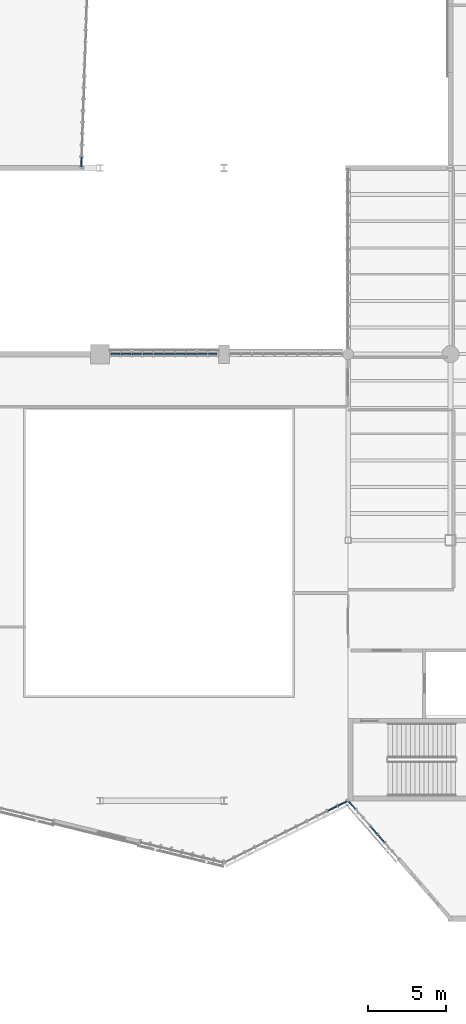
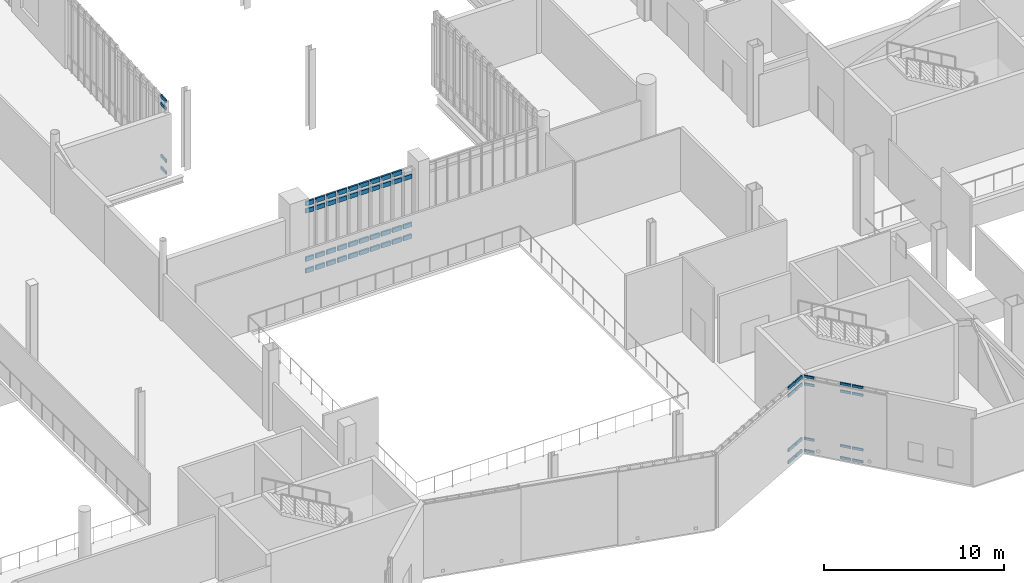
# One storey, part 53 of 127: 63 members, 4 elements without a shape of their own.
"""IFC4 building model written with IfcOpenShell, lengths in metres."""

from ifc_helpers import new_model, si_unit, direction, frame, origin, origin_2d, place, context, subcontext, project, spatial, rectangle, extrude, material, material_profile, profile_set, type_object, element, aggregate, save


model = new_model("IFC4")

# Units and contexts
model_context = context("Model", 3, precision=1e-05, world=origin(), true_north=direction((0.0, 1.0)))
body_context = subcontext(model_context, "Body", "Model", "MODEL_VIEW")
ifc_project = project(units=[si_unit("LENGTHUNIT", "METRE"), si_unit("AREAUNIT", "SQUARE_METRE"), si_unit("VOLUMEUNIT", "CUBIC_METRE"), si_unit("PLANEANGLEUNIT", "RADIAN"), si_unit("MASSUNIT", "GRAM", prefix="KILO")], contexts=[model_context])

# Site, building, storey
site_placement = place(None, origin())
site = spatial("IfcSite", under=ifc_project, at=site_placement, CompositionType="ELEMENT")
building_placement = place(site_placement, origin())
building = spatial("IfcBuilding", under=site, at=building_placement, Name="Larkvane Passage Sports Hall", CompositionType="ELEMENT")
storey_placement = place(building_placement, frame((0.0, 0.0, 5.39990234375)))
storey = spatial("IfcBuildingStorey", under=building, at=storey_placement, Name="L01", CompositionType="ELEMENT", Elevation=5.39990234375)

# Curtain wall, members
ifc_material_1 = material(Name="Thermally broken aluminium and low-E glazing", Category="aluminium")
curtain_wall_type_1 = type_object("IfcCurtainWallType", Name="CW-CLINIC", PredefinedType="USERDEFINED", material=ifc_material_1)
curtain_wall_1_placement = place(storey_placement, origin())
curtain_wall_1 = element("IfcCurtainWall", 1, at=curtain_wall_1_placement, inside=storey, type_object=curtain_wall_type_1, Name="Curtain wall CW5-L01-047", ObjectType="UNITISED CURTAIN WALL", PredefinedType="USERDEFINED")
ifc_material_2 = material(Name="Anodised aluminium 6063-T6", Category="aluminium")
ifc_material_profile_1 = material_profile(ifc_material_2, rectangle(XDim=0.110107421875, YDim=0.2900390625, at=origin_2d()), Name="ALU-TRN-110x290")
ifc_profile_set_1 = profile_set([ifc_material_profile_1], Name="Anodised aluminium 6063-T6")
member_type_1 = type_object("IfcMemberType", Name="CW-TRN-110x290", PredefinedType="USERDEFINED", material=ifc_profile_set_1)
member_1_placement = place(storey_placement, frame((102.73095703125, 51.60009765625, 0.05517578125), z_axis=(1.0, 0.0, 0.0), x_axis=(0.0, 1.0, 0.0)))
member_1 = element("IfcMember", 2, at=member_1_placement, type_object=member_type_1, Name="CW-05 transom 1.1", ObjectType="TRANSOM", PredefinedType="USERDEFINED", context=body_context, shape_type="SweptSolid", body=[
    extrude(rectangle(XDim=0.110107421875, YDim=0.2900390625, at=origin_2d()), origin(), (0.0, 0.0, 1.0), 0.538330078125),
])
member_2_placement = place(storey_placement, frame((102.73095703125, 51.60009765625, 0.85009765625), z_axis=(1.0, 0.0, 0.0), x_axis=(0.0, 1.0, 0.0)))
member_2 = element("IfcMember", 3, at=member_2_placement, type_object=member_type_1, Name="CW-05 transom 1.2", ObjectType="TRANSOM", PredefinedType="USERDEFINED", context=body_context, shape_type="SweptSolid", body=[
    extrude(rectangle(XDim=0.110107421875, YDim=0.2900390625, at=origin_2d()), origin(), (0.0, 0.0, 1.0), 0.538330078125),
])
member_3_placement = place(storey_placement, frame((102.73095703125, 51.60009765625, 4.1240234375), z_axis=(1.0, 0.0, 0.0), x_axis=(0.0, 1.0, 0.0)))
member_3 = element("IfcMember", 4, at=member_3_placement, type_object=member_type_1, Name="CW-05 transom 1.3", ObjectType="TRANSOM", PredefinedType="USERDEFINED", context=body_context, shape_type="SweptSolid", body=[
    extrude(rectangle(XDim=0.110107421875, YDim=0.2900390625, at=origin_2d()), origin(), (0.0, 0.0, 1.0), 0.538330078125),
])
member_4_placement = place(storey_placement, frame((102.73095703125, 51.60009765625, 4.619140625), z_axis=(1.0, 0.0, 0.0), x_axis=(0.0, 1.0, 0.0)))
member_4 = element("IfcMember", 5, at=member_4_placement, type_object=member_type_1, Name="CW-05 transom 1.4", ObjectType="TRANSOM", PredefinedType="USERDEFINED", context=body_context, shape_type="SweptSolid", body=[
    extrude(rectangle(XDim=0.110107421875, YDim=0.2900390625, at=origin_2d()), origin(), (0.0, 0.0, 1.0), 0.538330078125),
])
member_5_placement = place(storey_placement, frame((103.37939453125, 51.60009765625, 0.05517578125), z_axis=(1.0, 0.0, 0.0), x_axis=(0.0, 1.0, 0.0)))
member_5 = element("IfcMember", 6, at=member_5_placement, type_object=member_type_1, Name="CW-05 transom 2.1", ObjectType="TRANSOM", PredefinedType="USERDEFINED", context=body_context, shape_type="SweptSolid", body=[
    extrude(rectangle(XDim=0.110107421875, YDim=0.2900390625, at=origin_2d()), origin(), (0.0, 0.0, 1.0), 0.59326171875),
])
member_6_placement = place(storey_placement, frame((103.37939453125, 51.60009765625, 0.85009765625), z_axis=(1.0, 0.0, 0.0), x_axis=(0.0, 1.0, 0.0)))
member_6 = element("IfcMember", 7, at=member_6_placement, type_object=member_type_1, Name="CW-05 transom 2.2", ObjectType="TRANSOM", PredefinedType="USERDEFINED", context=body_context, shape_type="SweptSolid", body=[
    extrude(rectangle(XDim=0.110107421875, YDim=0.2900390625, at=origin_2d()), origin(), (0.0, 0.0, 1.0), 0.59326171875),
])
member_7_placement = place(storey_placement, frame((103.37939453125, 51.60009765625, 4.1240234375), z_axis=(1.0, 0.0, 0.0), x_axis=(0.0, 1.0, 0.0)))
member_7 = element("IfcMember", 8, at=member_7_placement, type_object=member_type_1, Name="CW-05 transom 2.3", ObjectType="TRANSOM", PredefinedType="USERDEFINED", context=body_context, shape_type="SweptSolid", body=[
    extrude(rectangle(XDim=0.110107421875, YDim=0.2900390625, at=origin_2d()), origin(), (0.0, 0.0, 1.0), 0.59326171875),
])
member_8_placement = place(storey_placement, frame((103.37939453125, 51.60009765625, 4.619140625), z_axis=(1.0, 0.0, 0.0), x_axis=(0.0, 1.0, 0.0)))
member_8 = element("IfcMember", 9, at=member_8_placement, type_object=member_type_1, Name="CW-05 transom 2.4", ObjectType="TRANSOM", PredefinedType="USERDEFINED", context=body_context, shape_type="SweptSolid", body=[
    extrude(rectangle(XDim=0.110107421875, YDim=0.2900390625, at=origin_2d()), origin(), (0.0, 0.0, 1.0), 0.59326171875),
])
member_9_placement = place(storey_placement, frame((104.08251953125, 51.60009765625, 0.05517578125), z_axis=(1.0, 0.0, 0.0), x_axis=(0.0, 1.0, 0.0)))
member_9 = element("IfcMember", 10, at=member_9_placement, type_object=member_type_1, Name="CW-05 transom 3.1", ObjectType="TRANSOM", PredefinedType="USERDEFINED", context=body_context, shape_type="SweptSolid", body=[
    extrude(rectangle(XDim=0.110107421875, YDim=0.2900390625, at=origin_2d()), origin(), (0.0, 0.0, 1.0), 0.59326171875),
])
member_10_placement = place(storey_placement, frame((104.08251953125, 51.60009765625, 0.85009765625), z_axis=(1.0, 0.0, 0.0), x_axis=(0.0, 1.0, 0.0)))
member_10 = element("IfcMember", 11, at=member_10_placement, type_object=member_type_1, Name="CW-05 transom 3.2", ObjectType="TRANSOM", PredefinedType="USERDEFINED", context=body_context, shape_type="SweptSolid", body=[
    extrude(rectangle(XDim=0.110107421875, YDim=0.2900390625, at=origin_2d()), origin(), (0.0, 0.0, 1.0), 0.59326171875),
])
member_11_placement = place(storey_placement, frame((104.08251953125, 51.60009765625, 4.1240234375), z_axis=(1.0, 0.0, 0.0), x_axis=(0.0, 1.0, 0.0)))
member_11 = element("IfcMember", 12, at=member_11_placement, type_object=member_type_1, Name="CW-05 transom 3.3", ObjectType="TRANSOM", PredefinedType="USERDEFINED", context=body_context, shape_type="SweptSolid", body=[
    extrude(rectangle(XDim=0.110107421875, YDim=0.2900390625, at=origin_2d()), origin(), (0.0, 0.0, 1.0), 0.59326171875),
])
member_12_placement = place(storey_placement, frame((104.08251953125, 51.60009765625, 4.619140625), z_axis=(1.0, 0.0, 0.0), x_axis=(0.0, 1.0, 0.0)))
member_12 = element("IfcMember", 13, at=member_12_placement, type_object=member_type_1, Name="CW-05 transom 3.4", ObjectType="TRANSOM", PredefinedType="USERDEFINED", context=body_context, shape_type="SweptSolid", body=[
    extrude(rectangle(XDim=0.110107421875, YDim=0.2900390625, at=origin_2d()), origin(), (0.0, 0.0, 1.0), 0.59326171875),
])
member_13_placement = place(storey_placement, frame((104.785888671875, 51.60009765625, 0.05517578125), z_axis=(1.0, 0.0, 0.0), x_axis=(0.0, 1.0, 0.0)))
member_13 = element("IfcMember", 14, at=member_13_placement, type_object=member_type_1, Name="CW-05 transom 4.1", ObjectType="TRANSOM", PredefinedType="USERDEFINED", context=body_context, shape_type="SweptSolid", body=[
    extrude(rectangle(XDim=0.110107421875, YDim=0.2900390625, at=origin_2d()), origin(), (0.0, 0.0, 1.0), 0.59326171875),
])
member_14_placement = place(storey_placement, frame((104.785888671875, 51.60009765625, 0.85009765625), z_axis=(1.0, 0.0, 0.0), x_axis=(0.0, 1.0, 0.0)))
member_14 = element("IfcMember", 15, at=member_14_placement, type_object=member_type_1, Name="CW-05 transom 4.2", ObjectType="TRANSOM", PredefinedType="USERDEFINED", context=body_context, shape_type="SweptSolid", body=[
    extrude(rectangle(XDim=0.110107421875, YDim=0.2900390625, at=origin_2d()), origin(), (0.0, 0.0, 1.0), 0.59326171875),
])
member_15_placement = place(storey_placement, frame((104.785888671875, 51.60009765625, 4.1240234375), z_axis=(1.0, 0.0, 0.0), x_axis=(0.0, 1.0, 0.0)))
member_15 = element("IfcMember", 16, at=member_15_placement, type_object=member_type_1, Name="CW-05 transom 4.3", ObjectType="TRANSOM", PredefinedType="USERDEFINED", context=body_context, shape_type="SweptSolid", body=[
    extrude(rectangle(XDim=0.110107421875, YDim=0.2900390625, at=origin_2d()), origin(), (0.0, 0.0, 1.0), 0.59326171875),
])
member_16_placement = place(storey_placement, frame((104.785888671875, 51.60009765625, 4.619140625), z_axis=(1.0, 0.0, 0.0), x_axis=(0.0, 1.0, 0.0)))
member_16 = element("IfcMember", 17, at=member_16_placement, type_object=member_type_1, Name="CW-05 transom 4.4", ObjectType="TRANSOM", PredefinedType="USERDEFINED", context=body_context, shape_type="SweptSolid", body=[
    extrude(rectangle(XDim=0.110107421875, YDim=0.2900390625, at=origin_2d()), origin(), (0.0, 0.0, 1.0), 0.59326171875),
])
member_17_placement = place(storey_placement, frame((105.4892578125, 51.60009765625, 0.05517578125), z_axis=(1.0, 0.0, 0.0), x_axis=(0.0, 1.0, 0.0)))
member_17 = element("IfcMember", 18, at=member_17_placement, type_object=member_type_1, Name="CW-05 transom 5.1", ObjectType="TRANSOM", PredefinedType="USERDEFINED", context=body_context, shape_type="SweptSolid", body=[
    extrude(rectangle(XDim=0.110107421875, YDim=0.2900390625, at=origin_2d()), origin(), (0.0, 0.0, 1.0), 0.59326171875),
])
member_18_placement = place(storey_placement, frame((105.4892578125, 51.60009765625, 0.85009765625), z_axis=(1.0, 0.0, 0.0), x_axis=(0.0, 1.0, 0.0)))
member_18 = element("IfcMember", 19, at=member_18_placement, type_object=member_type_1, Name="CW-05 transom 5.2", ObjectType="TRANSOM", PredefinedType="USERDEFINED", context=body_context, shape_type="SweptSolid", body=[
    extrude(rectangle(XDim=0.110107421875, YDim=0.2900390625, at=origin_2d()), origin(), (0.0, 0.0, 1.0), 0.59326171875),
])
member_19_placement = place(storey_placement, frame((105.4892578125, 51.60009765625, 4.1240234375), z_axis=(1.0, 0.0, 0.0), x_axis=(0.0, 1.0, 0.0)))
member_19 = element("IfcMember", 20, at=member_19_placement, type_object=member_type_1, Name="CW-05 transom 5.3", ObjectType="TRANSOM", PredefinedType="USERDEFINED", context=body_context, shape_type="SweptSolid", body=[
    extrude(rectangle(XDim=0.110107421875, YDim=0.2900390625, at=origin_2d()), origin(), (0.0, 0.0, 1.0), 0.59326171875),
])
member_20_placement = place(storey_placement, frame((105.4892578125, 51.60009765625, 4.619140625), z_axis=(1.0, 0.0, 0.0), x_axis=(0.0, 1.0, 0.0)))
member_20 = element("IfcMember", 21, at=member_20_placement, type_object=member_type_1, Name="CW-05 transom 5.4", ObjectType="TRANSOM", PredefinedType="USERDEFINED", context=body_context, shape_type="SweptSolid", body=[
    extrude(rectangle(XDim=0.110107421875, YDim=0.2900390625, at=origin_2d()), origin(), (0.0, 0.0, 1.0), 0.59326171875),
])
member_21_placement = place(storey_placement, frame((106.1923828125, 51.60009765625, 0.05517578125), z_axis=(1.0, 0.0, 0.0), x_axis=(0.0, 1.0, 0.0)))
member_21 = element("IfcMember", 22, at=member_21_placement, type_object=member_type_1, Name="CW-05 transom 6.1", ObjectType="TRANSOM", PredefinedType="USERDEFINED", context=body_context, shape_type="SweptSolid", body=[
    extrude(rectangle(XDim=0.110107421875, YDim=0.2900390625, at=origin_2d()), origin(), (0.0, 0.0, 1.0), 0.593505859375),
])
member_22_placement = place(storey_placement, frame((106.1923828125, 51.60009765625, 0.85009765625), z_axis=(1.0, 0.0, 0.0), x_axis=(0.0, 1.0, 0.0)))
member_22 = element("IfcMember", 23, at=member_22_placement, type_object=member_type_1, Name="CW-05 transom 6.2", ObjectType="TRANSOM", PredefinedType="USERDEFINED", context=body_context, shape_type="SweptSolid", body=[
    extrude(rectangle(XDim=0.110107421875, YDim=0.2900390625, at=origin_2d()), origin(), (0.0, 0.0, 1.0), 0.593505859375),
])
member_23_placement = place(storey_placement, frame((106.1923828125, 51.60009765625, 4.1240234375), z_axis=(1.0, 0.0, 0.0), x_axis=(0.0, 1.0, 0.0)))
member_23 = element("IfcMember", 24, at=member_23_placement, type_object=member_type_1, Name="CW-05 transom 6.3", ObjectType="TRANSOM", PredefinedType="USERDEFINED", context=body_context, shape_type="SweptSolid", body=[
    extrude(rectangle(XDim=0.110107421875, YDim=0.2900390625, at=origin_2d()), origin(), (0.0, 0.0, 1.0), 0.593505859375),
])
member_24_placement = place(storey_placement, frame((106.1923828125, 51.60009765625, 4.619140625), z_axis=(1.0, 0.0, 0.0), x_axis=(0.0, 1.0, 0.0)))
member_24 = element("IfcMember", 25, at=member_24_placement, type_object=member_type_1, Name="CW-05 transom 6.4", ObjectType="TRANSOM", PredefinedType="USERDEFINED", context=body_context, shape_type="SweptSolid", body=[
    extrude(rectangle(XDim=0.110107421875, YDim=0.2900390625, at=origin_2d()), origin(), (0.0, 0.0, 1.0), 0.593505859375),
])
member_25_placement = place(storey_placement, frame((106.895751953125, 51.60009765625, 0.05517578125), z_axis=(1.0, 0.0, 0.0), x_axis=(0.0, 1.0, 0.0)))
member_25 = element("IfcMember", 26, at=member_25_placement, type_object=member_type_1, Name="CW-05 transom 7.1", ObjectType="TRANSOM", PredefinedType="USERDEFINED", context=body_context, shape_type="SweptSolid", body=[
    extrude(rectangle(XDim=0.110107421875, YDim=0.2900390625, at=origin_2d()), origin(), (0.0, 0.0, 1.0), 0.59326171875),
])
member_26_placement = place(storey_placement, frame((106.895751953125, 51.60009765625, 0.85009765625), z_axis=(1.0, 0.0, 0.0), x_axis=(0.0, 1.0, 0.0)))
member_26 = element("IfcMember", 27, at=member_26_placement, type_object=member_type_1, Name="CW-05 transom 7.2", ObjectType="TRANSOM", PredefinedType="USERDEFINED", context=body_context, shape_type="SweptSolid", body=[
    extrude(rectangle(XDim=0.110107421875, YDim=0.2900390625, at=origin_2d()), origin(), (0.0, 0.0, 1.0), 0.59326171875),
])
member_27_placement = place(storey_placement, frame((106.895751953125, 51.60009765625, 4.1240234375), z_axis=(1.0, 0.0, 0.0), x_axis=(0.0, 1.0, 0.0)))
member_27 = element("IfcMember", 28, at=member_27_placement, type_object=member_type_1, Name="CW-05 transom 7.3", ObjectType="TRANSOM", PredefinedType="USERDEFINED", context=body_context, shape_type="SweptSolid", body=[
    extrude(rectangle(XDim=0.110107421875, YDim=0.2900390625, at=origin_2d()), origin(), (0.0, 0.0, 1.0), 0.59326171875),
])
member_28_placement = place(storey_placement, frame((106.895751953125, 51.60009765625, 4.619140625), z_axis=(1.0, 0.0, 0.0), x_axis=(0.0, 1.0, 0.0)))
member_28 = element("IfcMember", 29, at=member_28_placement, type_object=member_type_1, Name="CW-05 transom 7.4", ObjectType="TRANSOM", PredefinedType="USERDEFINED", context=body_context, shape_type="SweptSolid", body=[
    extrude(rectangle(XDim=0.110107421875, YDim=0.2900390625, at=origin_2d()), origin(), (0.0, 0.0, 1.0), 0.59326171875),
])
member_29_placement = place(storey_placement, frame((107.59912109375, 51.60009765625, 0.05517578125), z_axis=(1.0, 0.0, 0.0), x_axis=(0.0, 1.0, 0.0)))
member_29 = element("IfcMember", 30, at=member_29_placement, type_object=member_type_1, Name="CW-05 transom 8.1", ObjectType="TRANSOM", PredefinedType="USERDEFINED", context=body_context, shape_type="SweptSolid", body=[
    extrude(rectangle(XDim=0.110107421875, YDim=0.2900390625, at=origin_2d()), origin(), (0.0, 0.0, 1.0), 0.59326171875),
])
member_30_placement = place(storey_placement, frame((107.59912109375, 51.60009765625, 0.85009765625), z_axis=(1.0, 0.0, 0.0), x_axis=(0.0, 1.0, 0.0)))
member_30 = element("IfcMember", 31, at=member_30_placement, type_object=member_type_1, Name="CW-05 transom 8.2", ObjectType="TRANSOM", PredefinedType="USERDEFINED", context=body_context, shape_type="SweptSolid", body=[
    extrude(rectangle(XDim=0.110107421875, YDim=0.2900390625, at=origin_2d()), origin(), (0.0, 0.0, 1.0), 0.59326171875),
])
member_31_placement = place(storey_placement, frame((107.59912109375, 51.60009765625, 4.1240234375), z_axis=(1.0, 0.0, 0.0), x_axis=(0.0, 1.0, 0.0)))
member_31 = element("IfcMember", 32, at=member_31_placement, type_object=member_type_1, Name="CW-05 transom 8.3", ObjectType="TRANSOM", PredefinedType="USERDEFINED", context=body_context, shape_type="SweptSolid", body=[
    extrude(rectangle(XDim=0.110107421875, YDim=0.2900390625, at=origin_2d()), origin(), (0.0, 0.0, 1.0), 0.59326171875),
])
member_32_placement = place(storey_placement, frame((107.59912109375, 51.60009765625, 4.619140625), z_axis=(1.0, 0.0, 0.0), x_axis=(0.0, 1.0, 0.0)))
member_32 = element("IfcMember", 33, at=member_32_placement, type_object=member_type_1, Name="CW-05 transom 8.4", ObjectType="TRANSOM", PredefinedType="USERDEFINED", context=body_context, shape_type="SweptSolid", body=[
    extrude(rectangle(XDim=0.110107421875, YDim=0.2900390625, at=origin_2d()), origin(), (0.0, 0.0, 1.0), 0.59326171875),
])
member_33_placement = place(storey_placement, frame((108.302490234375, 51.60009765625, 0.05517578125), z_axis=(1.0, 0.0, 0.0), x_axis=(0.0, 1.0, 0.0)))
member_33 = element("IfcMember", 34, at=member_33_placement, type_object=member_type_1, Name="CW-05 transom 9.1", ObjectType="TRANSOM", PredefinedType="USERDEFINED", context=body_context, shape_type="SweptSolid", body=[
    extrude(rectangle(XDim=0.110107421875, YDim=0.2900390625, at=origin_2d()), origin(), (0.0, 0.0, 1.0), 0.59326171875),
])
member_34_placement = place(storey_placement, frame((108.302490234375, 51.60009765625, 0.85009765625), z_axis=(1.0, 0.0, 0.0), x_axis=(0.0, 1.0, 0.0)))
member_34 = element("IfcMember", 35, at=member_34_placement, type_object=member_type_1, Name="CW-05 transom 9.2", ObjectType="TRANSOM", PredefinedType="USERDEFINED", context=body_context, shape_type="SweptSolid", body=[
    extrude(rectangle(XDim=0.110107421875, YDim=0.2900390625, at=origin_2d()), origin(), (0.0, 0.0, 1.0), 0.59326171875),
])
member_35_placement = place(storey_placement, frame((108.302490234375, 51.60009765625, 4.1240234375), z_axis=(1.0, 0.0, 0.0), x_axis=(0.0, 1.0, 0.0)))
member_35 = element("IfcMember", 36, at=member_35_placement, type_object=member_type_1, Name="CW-05 transom 9.3", ObjectType="TRANSOM", PredefinedType="USERDEFINED", context=body_context, shape_type="SweptSolid", body=[
    extrude(rectangle(XDim=0.110107421875, YDim=0.2900390625, at=origin_2d()), origin(), (0.0, 0.0, 1.0), 0.59326171875),
])
member_36_placement = place(storey_placement, frame((108.302490234375, 51.60009765625, 4.619140625), z_axis=(1.0, 0.0, 0.0), x_axis=(0.0, 1.0, 0.0)))
member_36 = element("IfcMember", 37, at=member_36_placement, type_object=member_type_1, Name="CW-05 transom 9.4", ObjectType="TRANSOM", PredefinedType="USERDEFINED", context=body_context, shape_type="SweptSolid", body=[
    extrude(rectangle(XDim=0.110107421875, YDim=0.2900390625, at=origin_2d()), origin(), (0.0, 0.0, 1.0), 0.59326171875),
])
member_37_placement = place(storey_placement, frame((109.005615234375, 51.60009765625, 0.05517578125), z_axis=(1.0, 0.0, 0.0), x_axis=(0.0, 1.0, 0.0)))
member_37 = element("IfcMember", 38, at=member_37_placement, type_object=member_type_1, Name="CW-05 transom 10.1", ObjectType="TRANSOM", PredefinedType="USERDEFINED", context=body_context, shape_type="SweptSolid", body=[
    extrude(rectangle(XDim=0.110107421875, YDim=0.2900390625, at=origin_2d()), origin(), (0.0, 0.0, 1.0), 0.538330078125),
])
member_38_placement = place(storey_placement, frame((109.005615234375, 51.60009765625, 0.85009765625), z_axis=(1.0, 0.0, 0.0), x_axis=(0.0, 1.0, 0.0)))
member_38 = element("IfcMember", 39, at=member_38_placement, type_object=member_type_1, Name="CW-05 transom 10.2", ObjectType="TRANSOM", PredefinedType="USERDEFINED", context=body_context, shape_type="SweptSolid", body=[
    extrude(rectangle(XDim=0.110107421875, YDim=0.2900390625, at=origin_2d()), origin(), (0.0, 0.0, 1.0), 0.538330078125),
])
member_39_placement = place(storey_placement, frame((109.005615234375, 51.60009765625, 4.1240234375), z_axis=(1.0, 0.0, 0.0), x_axis=(0.0, 1.0, 0.0)))
member_39 = element("IfcMember", 40, at=member_39_placement, type_object=member_type_1, Name="CW-05 transom 10.3", ObjectType="TRANSOM", PredefinedType="USERDEFINED", context=body_context, shape_type="SweptSolid", body=[
    extrude(rectangle(XDim=0.110107421875, YDim=0.2900390625, at=origin_2d()), origin(), (0.0, 0.0, 1.0), 0.538330078125),
])
aggregate(curtain_wall_1, [member_1, member_2, member_3, member_4, member_5, member_6, member_7, member_8, member_9, member_10, member_11, member_12, member_13, member_14, member_15, member_16, member_17, member_18, member_19, member_20, member_21, member_22, member_23, member_24, member_25, member_26, member_27, member_28, member_29, member_30, member_31, member_32, member_33, member_34, member_35, member_36, member_37, member_38, member_39])

curtain_wall_type_2 = type_object("IfcCurtainWallType", Name="CW-UNIT-VEIL", PredefinedType="USERDEFINED", material=ifc_material_1)
curtain_wall_2_placement = place(storey_placement, origin())
curtain_wall_2 = element("IfcCurtainWall", 41, at=curtain_wall_2_placement, inside=storey, type_object=curtain_wall_type_2, Name="Curtain wall CW5-L01-061", ObjectType="UNITISED CURTAIN WALL", PredefinedType="USERDEFINED")
ifc_material_profile_2 = material_profile(ifc_material_2, rectangle(XDim=0.070068359375, YDim=0.159912109375, at=origin_2d()), Name="ALU-TRN-70x160")
ifc_profile_set_2 = profile_set([ifc_material_profile_2], Name="Anodised aluminium 6063-T6")
member_type_2 = type_object("IfcMemberType", Name="CW-TRN-70x160", PredefinedType="USERDEFINED", material=ifc_profile_set_2)
member_40_placement = place(storey_placement, frame((120.336669921875, 20.109375, 0.03515625), z_axis=(-0.655748916053, 0.754979045467, 0.0), x_axis=(-0.754979045467, -0.655748916053, 0.0)))
member_40 = element("IfcMember", 42, at=member_40_placement, type_object=member_type_2, Name="CW-02 transom 3.1", ObjectType="TRANSOM", PredefinedType="USERDEFINED", context=body_context, shape_type="SweptSolid", body=[
    extrude(rectangle(XDim=0.070068359375, YDim=0.159912109375, at=origin_2d()), origin(), (0.0, 0.0, 1.0), 0.64697265625),
])
member_41_placement = place(storey_placement, frame((120.336669921875, 20.109375, 0.85009765625), z_axis=(-0.655748916053, 0.754979045467, 0.0), x_axis=(-0.754979045467, -0.655748916053, 0.0)))
member_41 = element("IfcMember", 43, at=member_41_placement, type_object=member_type_2, Name="CW-02 transom 3.2", ObjectType="TRANSOM", PredefinedType="USERDEFINED", context=body_context, shape_type="SweptSolid", body=[
    extrude(rectangle(XDim=0.070068359375, YDim=0.159912109375, at=origin_2d()), origin(), (0.0, 0.0, 1.0), 0.64697265625),
])
member_42_placement = place(storey_placement, frame((120.336669921875, 20.109375, 4.550048828125), z_axis=(-0.655748916053, 0.754979045467, 0.0), x_axis=(-0.754979045467, -0.655748916053, 0.0)))
member_42 = element("IfcMember", 44, at=member_42_placement, type_object=member_type_2, Name="CW-02 transom 3.3", ObjectType="TRANSOM", PredefinedType="USERDEFINED", context=body_context, shape_type="SweptSolid", body=[
    extrude(rectangle(XDim=0.070068359375, YDim=0.159912109375, at=origin_2d()), origin(), (0.0, 0.0, 1.0), 0.64697265625),
])
member_43_placement = place(storey_placement, frame((120.336669921875, 20.109375, 5.065185546875), z_axis=(-0.655748916053, 0.754979045467, 0.0), x_axis=(-0.754979045467, -0.655748916053, 0.0)))
member_43 = element("IfcMember", 45, at=member_43_placement, type_object=member_type_2, Name="CW-02 transom 3.4", ObjectType="TRANSOM", PredefinedType="USERDEFINED", context=body_context, shape_type="SweptSolid", body=[
    extrude(rectangle(XDim=0.070068359375, YDim=0.159912109375, at=origin_2d()), origin(), (0.0, 0.0, 1.0), 0.64697265625),
])
member_44_placement = place(storey_placement, frame((119.866455078125, 20.650634765625, 0.03515625), z_axis=(-0.655562156326, 0.755141218047, 0.0), x_axis=(-0.755141218047, -0.655562156326, 0.0)))
member_44 = element("IfcMember", 46, at=member_44_placement, type_object=member_type_2, Name="CW-02 transom 4.1", ObjectType="TRANSOM", PredefinedType="USERDEFINED", context=body_context, shape_type="SweptSolid", body=[
    extrude(rectangle(XDim=0.070068359375, YDim=0.159912109375, at=origin_2d()), origin(), (0.0, 0.0, 1.0), 0.647216796875),
])
member_45_placement = place(storey_placement, frame((119.866455078125, 20.650634765625, 0.85009765625), z_axis=(-0.655562156326, 0.755141218047, 0.0), x_axis=(-0.755141218047, -0.655562156326, 0.0)))
member_45 = element("IfcMember", 47, at=member_45_placement, type_object=member_type_2, Name="CW-02 transom 4.2", ObjectType="TRANSOM", PredefinedType="USERDEFINED", context=body_context, shape_type="SweptSolid", body=[
    extrude(rectangle(XDim=0.070068359375, YDim=0.159912109375, at=origin_2d()), origin(), (0.0, 0.0, 1.0), 0.647216796875),
])
member_46_placement = place(storey_placement, frame((119.866455078125, 20.650634765625, 4.550048828125), z_axis=(-0.655562156326, 0.755141218047, 0.0), x_axis=(-0.755141218047, -0.655562156326, 0.0)))
member_46 = element("IfcMember", 48, at=member_46_placement, type_object=member_type_2, Name="CW-02 transom 4.3", ObjectType="TRANSOM", PredefinedType="USERDEFINED", context=body_context, shape_type="SweptSolid", body=[
    extrude(rectangle(XDim=0.070068359375, YDim=0.159912109375, at=origin_2d()), origin(), (0.0, 0.0, 1.0), 0.647216796875),
])
member_47_placement = place(storey_placement, frame((119.866455078125, 20.650634765625, 5.065185546875), z_axis=(-0.655562156326, 0.755141218047, 0.0), x_axis=(-0.755141218047, -0.655562156326, 0.0)))
member_47 = element("IfcMember", 49, at=member_47_placement, type_object=member_type_2, Name="CW-02 transom 4.4", ObjectType="TRANSOM", PredefinedType="USERDEFINED", context=body_context, shape_type="SweptSolid", body=[
    extrude(rectangle(XDim=0.070068359375, YDim=0.159912109375, at=origin_2d()), origin(), (0.0, 0.0, 1.0), 0.647216796875),
])
member_48_placement = place(storey_placement, frame((118.4560546875, 22.27490234375, 0.03515625), z_axis=(-0.655704605742, 0.755017529604, 0.0), x_axis=(-0.755017529604, -0.655704605742, 0.0)))
member_48 = element("IfcMember", 50, at=member_48_placement, type_object=member_type_2, Name="CW-02 transom 7.1", ObjectType="TRANSOM", PredefinedType="USERDEFINED", context=body_context, shape_type="SweptSolid", body=[
    extrude(rectangle(XDim=0.070068359375, YDim=0.159912109375, at=origin_2d()), origin(), (0.0, 0.0, 1.0), 0.612060546875),
])
member_49_placement = place(storey_placement, frame((118.4560546875, 22.27490234375, 0.85009765625), z_axis=(-0.655704605742, 0.755017529604, 0.0), x_axis=(-0.755017529604, -0.655704605742, 0.0)))
member_49 = element("IfcMember", 51, at=member_49_placement, type_object=member_type_2, Name="CW-02 transom 7.2", ObjectType="TRANSOM", PredefinedType="USERDEFINED", context=body_context, shape_type="SweptSolid", body=[
    extrude(rectangle(XDim=0.070068359375, YDim=0.159912109375, at=origin_2d()), origin(), (0.0, 0.0, 1.0), 0.612060546875),
])
member_50_placement = place(storey_placement, frame((118.4560546875, 22.27490234375, 4.550048828125), z_axis=(-0.655704605742, 0.755017529604, 0.0), x_axis=(-0.755017529604, -0.655704605742, 0.0)))
member_50 = element("IfcMember", 52, at=member_50_placement, type_object=member_type_2, Name="CW-02 transom 7.3", ObjectType="TRANSOM", PredefinedType="USERDEFINED", context=body_context, shape_type="SweptSolid", body=[
    extrude(rectangle(XDim=0.070068359375, YDim=0.159912109375, at=origin_2d()), origin(), (0.0, 0.0, 1.0), 0.612060546875),
])
member_51_placement = place(storey_placement, frame((118.4560546875, 22.27490234375, 5.065185546875), z_axis=(-0.655704605742, 0.755017529604, 0.0), x_axis=(-0.755017529604, -0.655704605742, 0.0)))
member_51 = element("IfcMember", 53, at=member_51_placement, type_object=member_type_2, Name="CW-02 transom 7.4", ObjectType="TRANSOM", PredefinedType="USERDEFINED", context=body_context, shape_type="SweptSolid", body=[
    extrude(rectangle(XDim=0.070068359375, YDim=0.159912109375, at=origin_2d()), origin(), (0.0, 0.0, 1.0), 0.612060546875),
])
aggregate(curtain_wall_2, [member_40, member_41, member_42, member_43, member_44, member_45, member_46, member_47, member_48, member_49, member_50, member_51])

curtain_wall_type_3 = type_object("IfcCurtainWallType", Name="CW-STICK-FOYER", PredefinedType="USERDEFINED", material=ifc_material_1)
curtain_wall_3_placement = place(storey_placement, origin())
curtain_wall_3 = element("IfcCurtainWall", 54, at=curtain_wall_3_placement, inside=storey, type_object=curtain_wall_type_3, Name="Curtain wall CW5-L01-046", ObjectType="STICK CURTAIN WALL", PredefinedType="USERDEFINED")
ifc_material_profile_3 = material_profile(ifc_material_2, rectangle(XDim=0.080078125, YDim=0.2099609375, at=origin_2d()), Name="ALU-TRN-80x210")
ifc_profile_set_3 = profile_set([ifc_material_profile_3], Name="Anodised aluminium 6063-T6")
member_type_3 = type_object("IfcMemberType", Name="CW-TRN-80x210", PredefinedType="USERDEFINED", material=ifc_profile_set_3)
member_52_placement = place(storey_placement, frame((100.82373046875, 64.3017578125, 0.0400390625), z_axis=(-0.033745982734, -0.999430442127, 0.0), x_axis=(0.999430442127, -0.033745982734, 0.0)))
member_52 = element("IfcMember", 55, at=member_52_placement, type_object=member_type_3, Name="CW-03 transom 8.1", ObjectType="TRANSOM", PredefinedType="USERDEFINED", context=body_context, shape_type="SweptSolid", body=[
    extrude(rectangle(XDim=0.080078125, YDim=0.2099609375, at=origin_2d()), origin(), (0.0, 0.0, 1.0), 0.6220703125),
])
member_53_placement = place(storey_placement, frame((100.82373046875, 64.3017578125, 0.85009765625), z_axis=(-0.033745982734, -0.999430442127, 0.0), x_axis=(0.999430442127, -0.033745982734, 0.0)))
member_53 = element("IfcMember", 56, at=member_53_placement, type_object=member_type_3, Name="CW-03 transom 8.2", ObjectType="TRANSOM", PredefinedType="USERDEFINED", context=body_context, shape_type="SweptSolid", body=[
    extrude(rectangle(XDim=0.080078125, YDim=0.2099609375, at=origin_2d()), origin(), (0.0, 0.0, 1.0), 0.6220703125),
])
member_54_placement = place(storey_placement, frame((100.82373046875, 64.3017578125, 4.38818359375), z_axis=(-0.033745982734, -0.999430442127, 0.0), x_axis=(0.999430442127, -0.033745982734, 0.0)))
member_54 = element("IfcMember", 57, at=member_54_placement, type_object=member_type_3, Name="CW-03 transom 8.3", ObjectType="TRANSOM", PredefinedType="USERDEFINED", context=body_context, shape_type="SweptSolid", body=[
    extrude(rectangle(XDim=0.080078125, YDim=0.2099609375, at=origin_2d()), origin(), (0.0, 0.0, 1.0), 0.6220703125),
])
member_55_placement = place(storey_placement, frame((100.82373046875, 64.3017578125, 4.898193359375), z_axis=(-0.033745982734, -0.999430442127, 0.0), x_axis=(0.999430442127, -0.033745982734, 0.0)))
member_55 = element("IfcMember", 58, at=member_55_placement, type_object=member_type_3, Name="CW-03 transom 8.4", ObjectType="TRANSOM", PredefinedType="USERDEFINED", context=body_context, shape_type="SweptSolid", body=[
    extrude(rectangle(XDim=0.080078125, YDim=0.2099609375, at=origin_2d()), origin(), (0.0, 0.0, 1.0), 0.6220703125),
])
aggregate(curtain_wall_3, [member_52, member_53, member_54, member_55])

curtain_wall_4_placement = place(storey_placement, origin())
curtain_wall_4 = element("IfcCurtainWall", 59, at=curtain_wall_4_placement, inside=storey, type_object=curtain_wall_type_3, Name="Curtain wall CW5-L01-062", ObjectType="STICK CURTAIN WALL", PredefinedType="USERDEFINED")
member_56_placement = place(storey_placement, frame((117.91943359375, 22.759765625, 0.0400390625), z_axis=(-0.894427191, -0.4472135955, 0.0), x_axis=(0.4472135955, -0.894427191, 0.0)))
member_56 = element("IfcMember", 60, at=member_56_placement, type_object=member_type_3, Name="CW-03 transom 1.1", ObjectType="TRANSOM", PredefinedType="USERDEFINED", context=body_context, shape_type="SweptSolid", body=[
    extrude(rectangle(XDim=0.080078125, YDim=0.2099609375, at=origin_2d()), origin(), (0.0, 0.0, 1.0), 0.62451171875),
])
member_57_placement = place(storey_placement, frame((117.91943359375, 22.759765625, 0.85009765625), z_axis=(-0.894427191, -0.4472135955, 0.0), x_axis=(0.4472135955, -0.894427191, 0.0)))
member_57 = element("IfcMember", 61, at=member_57_placement, type_object=member_type_3, Name="CW-03 transom 1.2", ObjectType="TRANSOM", PredefinedType="USERDEFINED", context=body_context, shape_type="SweptSolid", body=[
    extrude(rectangle(XDim=0.080078125, YDim=0.2099609375, at=origin_2d()), origin(), (0.0, 0.0, 1.0), 0.62451171875),
])
member_58_placement = place(storey_placement, frame((117.91943359375, 22.759765625, 4.550048828125), z_axis=(-0.894427191, -0.4472135955, 0.0), x_axis=(0.4472135955, -0.894427191, 0.0)))
member_58 = element("IfcMember", 62, at=member_58_placement, type_object=member_type_3, Name="CW-03 transom 1.3", ObjectType="TRANSOM", PredefinedType="USERDEFINED", context=body_context, shape_type="SweptSolid", body=[
    extrude(rectangle(XDim=0.080078125, YDim=0.2099609375, at=origin_2d()), origin(), (0.0, 0.0, 1.0), 0.62451171875),
])
member_59_placement = place(storey_placement, frame((117.91943359375, 22.759765625, 5.06005859375), z_axis=(-0.894427191, -0.4472135955, 0.0), x_axis=(0.4472135955, -0.894427191, 0.0)))
member_59 = element("IfcMember", 63, at=member_59_placement, type_object=member_type_3, Name="CW-03 transom 1.4", ObjectType="TRANSOM", PredefinedType="USERDEFINED", context=body_context, shape_type="SweptSolid", body=[
    extrude(rectangle(XDim=0.080078125, YDim=0.2099609375, at=origin_2d()), origin(), (0.0, 0.0, 1.0), 0.62451171875),
])
member_60_placement = place(storey_placement, frame((117.289306640625, 22.444580078125, 0.0400390625), z_axis=(-0.894427191, -0.4472135955, 0.0), x_axis=(0.4472135955, -0.894427191, 0.0)))
member_60 = element("IfcMember", 64, at=member_60_placement, type_object=member_type_3, Name="CW-03 transom 2.1", ObjectType="TRANSOM", PredefinedType="USERDEFINED", context=body_context, shape_type="SweptSolid", body=[
    extrude(rectangle(XDim=0.080078125, YDim=0.2099609375, at=origin_2d()), origin(), (0.0, 0.0, 1.0), 0.664306640625),
])
member_61_placement = place(storey_placement, frame((117.289306640625, 22.444580078125, 0.85009765625), z_axis=(-0.894427191, -0.4472135955, 0.0), x_axis=(0.4472135955, -0.894427191, 0.0)))
member_61 = element("IfcMember", 65, at=member_61_placement, type_object=member_type_3, Name="CW-03 transom 2.2", ObjectType="TRANSOM", PredefinedType="USERDEFINED", context=body_context, shape_type="SweptSolid", body=[
    extrude(rectangle(XDim=0.080078125, YDim=0.2099609375, at=origin_2d()), origin(), (0.0, 0.0, 1.0), 0.664306640625),
])
member_62_placement = place(storey_placement, frame((117.289306640625, 22.444580078125, 4.550048828125), z_axis=(-0.894427191, -0.4472135955, 0.0), x_axis=(0.4472135955, -0.894427191, 0.0)))
member_62 = element("IfcMember", 66, at=member_62_placement, type_object=member_type_3, Name="CW-03 transom 2.3", ObjectType="TRANSOM", PredefinedType="USERDEFINED", context=body_context, shape_type="SweptSolid", body=[
    extrude(rectangle(XDim=0.080078125, YDim=0.2099609375, at=origin_2d()), origin(), (0.0, 0.0, 1.0), 0.664306640625),
])
member_63_placement = place(storey_placement, frame((117.289306640625, 22.444580078125, 5.06005859375), z_axis=(-0.894427191, -0.4472135955, 0.0), x_axis=(0.4472135955, -0.894427191, 0.0)))
member_63 = element("IfcMember", 67, at=member_63_placement, type_object=member_type_3, Name="CW-03 transom 2.4", ObjectType="TRANSOM", PredefinedType="USERDEFINED", context=body_context, shape_type="SweptSolid", body=[
    extrude(rectangle(XDim=0.080078125, YDim=0.2099609375, at=origin_2d()), origin(), (0.0, 0.0, 1.0), 0.664306640625),
])
aggregate(curtain_wall_4, [member_56, member_57, member_58, member_59, member_60, member_61, member_62, member_63])

save(model, "model.ifc")
